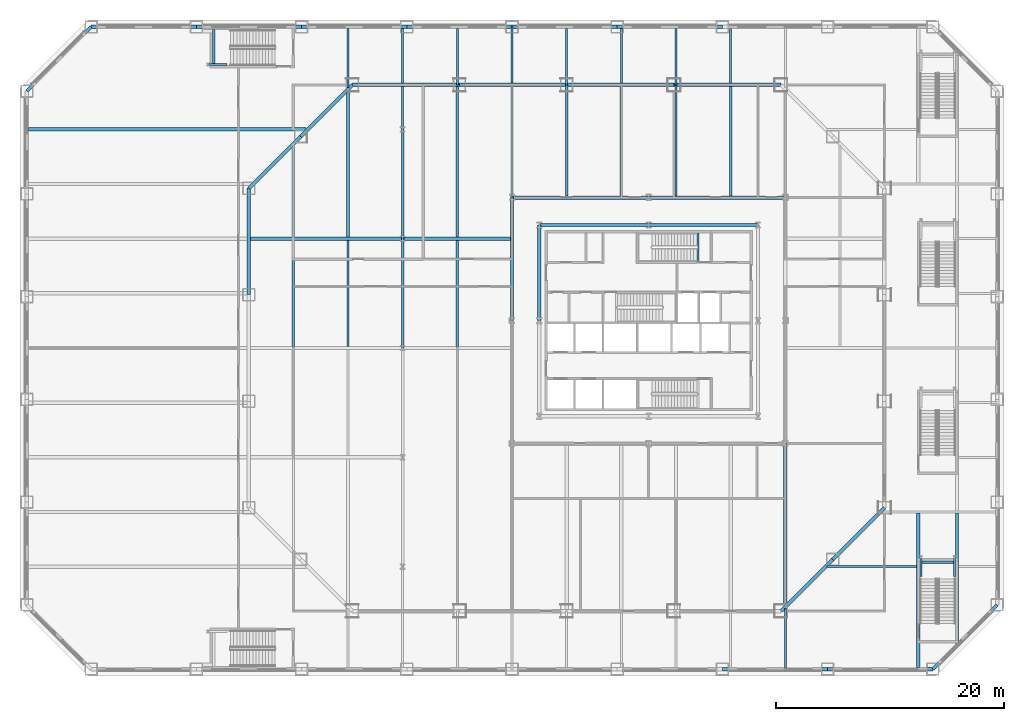
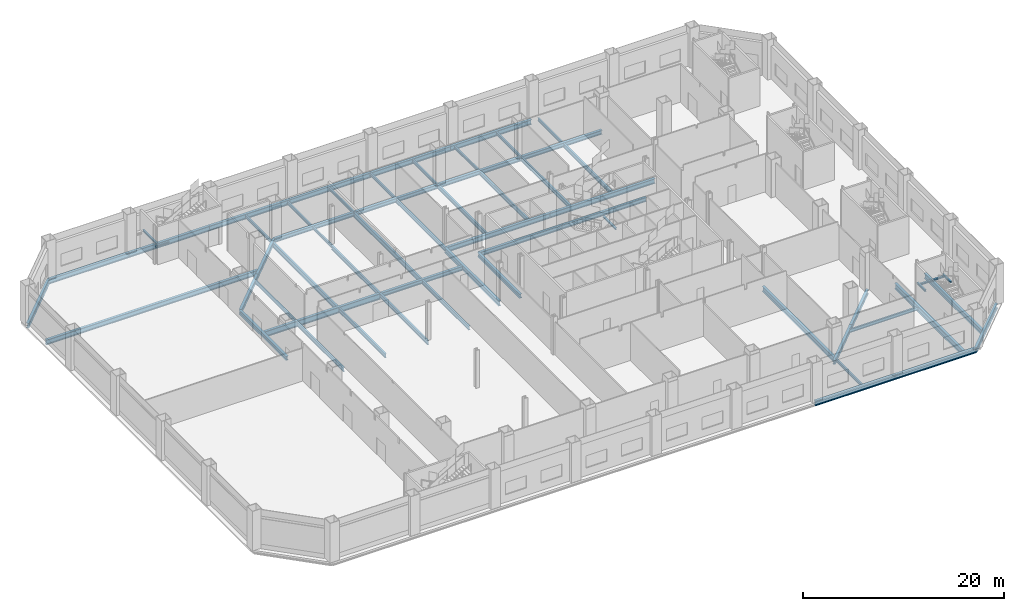
# One storey, part 9 of 26: 61 beams.
"""IFC4 building model written with IfcOpenShell, lengths in metres."""

from ifc_helpers import new_model, si_unit, direction, frame, origin, origin_2d, place, context, subcontext, project, spatial, i_section, extrude, material, material_profile, profile_set, type_object, element, save


model = new_model("IFC4")

# Units and contexts
model_context = context("Model", 3, precision=1e-05, world=origin(), true_north=direction((0.0, 1.0)))
body_context = subcontext(model_context, "Body", "Model", "MODEL_VIEW")
ifc_project = project(units=[si_unit("LENGTHUNIT", "METRE"), si_unit("AREAUNIT", "SQUARE_METRE"), si_unit("VOLUMEUNIT", "CUBIC_METRE"), si_unit("PLANEANGLEUNIT", "RADIAN"), si_unit("MASSUNIT", "GRAM", prefix="KILO")], contexts=[model_context])

# Site, building, storey
site_placement = place(None, origin())
site = spatial("IfcSite", under=ifc_project, at=site_placement, CompositionType="ELEMENT")
building_placement = place(site_placement, origin())
building = spatial("IfcBuilding", under=site, at=building_placement, Name="Cairn Pilgrim Tower", CompositionType="ELEMENT")
storey_placement = place(building_placement, frame((0.0, 0.0, 21.0)))
storey = spatial("IfcBuildingStorey", under=building, at=storey_placement, Name="L03", CompositionType="ELEMENT", Elevation=21.0)

# Beams
ifc_material = material(Name="Structural steel S355J2", Category="steel")
ifc_material_profile_1 = material_profile(ifc_material, i_section(OverallWidth=0.300048828125, OverallDepth=0.60009765625, WebThickness=0.015380859375, FlangeThickness=0.030029296875, FilletRadius=0.027099609375, at=origin_2d()), Name="HEB 600")
ifc_profile_set_1 = profile_set([ifc_material_profile_1], Name="Structural steel S355J2")
beam_type_1 = type_object("IfcBeamType", Name="PODIUM BEAM HE 600 B", PredefinedType="BEAM", material=ifc_profile_set_1)
beam_1_placement = place(storey_placement, frame((19.199951171875, -22.5751953125, -0.5), z_axis=(0.0, 1.0, 0.0), x_axis=(-1.0, 0.0, 0.0)))
element("IfcBeam", 1, at=beam_1_placement, inside=storey, type_object=beam_type_1, Name="PODIUM BEAM PB-HE600B", PredefinedType="BEAM", context=body_context, shape_type="SweptSolid", body=[
    extrude(i_section(OverallWidth=0.300048828125, OverallDepth=0.60009765625, WebThickness=0.015380859375, FlangeThickness=0.030029296875, FilletRadius=0.027099609375, at=origin_2d()), origin(), (0.0, 0.0, 1.0), 14.17529296875),
])
beam_2_placement = place(storey_placement, frame((-47.248046875, 19.199951171875, -0.5), z_axis=(1.0, 0.0, 0.0), x_axis=(0.0, 1.0, 0.0)))
element("IfcBeam", 2, at=beam_2_placement, inside=storey, type_object=beam_type_1, Name="PODIUM BEAM PB-HE600B", PredefinedType="BEAM", context=body_context, shape_type="SweptSolid", body=[
    extrude(i_section(OverallWidth=0.300048828125, OverallDepth=0.60009765625, WebThickness=0.015380859375, FlangeThickness=0.030029296875, FilletRadius=0.027099609375, at=origin_2d()), origin(), (0.0, 0.0, 1.0), 24.368896484375),
])
ifc_material_profile_2 = material_profile(ifc_material, i_section(OverallWidth=0.169921875, OverallDepth=0.360107421875, WebThickness=0.008056640625, FlangeThickness=0.0126953125, FilletRadius=0.01806640625, at=origin_2d()), Name="IPE 360")
ifc_profile_set_2 = profile_set([ifc_material_profile_2], Name="Structural steel S355J2")
beam_type_2 = type_object("IfcBeamType", Name="PODIUM BEAM IPE 360", PredefinedType="BEAM", material=ifc_profile_set_2)
beam_3_placement = place(storey_placement, frame((-14.39990234375, 19.199951171875, -0.3798828125), z_axis=(0.0, 1.0, 0.0), x_axis=(-1.0, 0.0, 0.0)))
element("IfcBeam", 3, at=beam_3_placement, inside=storey, type_object=beam_type_2, Name="PODIUM BEAM PB-IPE360", PredefinedType="BEAM", context=body_context, shape_type="SweptSolid", body=[
    extrude(i_section(OverallWidth=0.169921875, OverallDepth=0.360107421875, WebThickness=0.008056640625, FlangeThickness=0.0126953125, FilletRadius=0.01806640625, at=origin_2d()), origin(), (0.0, 0.0, 1.0), 3.748046875),
])
beam_4_placement = place(storey_placement, frame((-19.199951171875, 22.879150390625, -0.3798828125), z_axis=(0.0, 1.0, 0.0), x_axis=(-1.0, 0.0, 0.0)))
element("IfcBeam", 4, at=beam_4_placement, inside=storey, type_object=beam_type_2, Name="PODIUM BEAM PB-IPE360", PredefinedType="BEAM", context=body_context, shape_type="SweptSolid", body=[
    extrude(i_section(OverallWidth=0.169921875, OverallDepth=0.360107421875, WebThickness=0.008056640625, FlangeThickness=0.0126953125, FilletRadius=0.01806640625, at=origin_2d()), origin(), (0.0, 0.0, 1.0), 5.1689453125),
])
beam_5_placement = place(storey_placement, frame((-14.39990234375, 23.251953125, -0.3798828125), z_axis=(0.0, 1.0, 0.0), x_axis=(-1.0, 0.0, 0.0)))
element("IfcBeam", 5, at=beam_5_placement, inside=storey, type_object=beam_type_2, Name="PODIUM BEAM PB-IPE360", PredefinedType="BEAM", context=body_context, shape_type="SweptSolid", body=[
    extrude(i_section(OverallWidth=0.169921875, OverallDepth=0.360107421875, WebThickness=0.008056640625, FlangeThickness=0.0126953125, FilletRadius=0.01806640625, at=origin_2d()), origin(), (0.0, 0.0, 1.0), 4.796142578125),
])
for number, where, z_axis, x_axis, name in (
    (6, (-9.60009765625, 23.10009765625, -0.3798828125), (0.0, 1.0, 0.0), (-1.0, 0.0, 0.0), "PODIUM BEAM PB-IPE360"),
    (7, (-4.800048828125, 23.251953125, -0.3798828125), (0.0, 1.0, 0.0), (-1.0, 0.0, 0.0), "PODIUM BEAM PB-IPE360"),
    (8, (0.0, 23.10009765625, -0.3798828125), (0.0, 1.0, 0.0), (-1.0, 0.0, 0.0), "PODIUM BEAM PB-IPE360"),
):
    element("IfcBeam", number, at=place(storey_placement, frame(where, z_axis=z_axis, x_axis=x_axis)), inside=storey, type_object=beam_type_2, Name=name, PredefinedType="BEAM", context=body_context, shape_type="SweptSolid", body=[
        extrude(i_section(OverallWidth=0.169921875, OverallDepth=0.360107421875, WebThickness=0.008056640625, FlangeThickness=0.0126953125, FilletRadius=0.01806640625, at=origin_2d()), origin(), (0.0, 0.0, 1.0), 4.947998046875),
    ])
beam_6_placement = place(storey_placement, frame((4.800048828125, 23.251953125, -0.3798828125), z_axis=(0.0, 1.0, 0.0), x_axis=(-1.0, 0.0, 0.0)))
element("IfcBeam", 9, at=beam_6_placement, inside=storey, type_object=beam_type_2, Name="PODIUM BEAM PB-IPE360", PredefinedType="BEAM", context=body_context, shape_type="SweptSolid", body=[
    extrude(i_section(OverallWidth=0.169921875, OverallDepth=0.360107421875, WebThickness=0.008056640625, FlangeThickness=0.0126953125, FilletRadius=0.01806640625, at=origin_2d()), origin(), (0.0, 0.0, 1.0), 4.796142578125),
])
beam_7_placement = place(storey_placement, frame((9.60009765625, 23.10009765625, -0.3798828125), z_axis=(0.0, 1.0, 0.0), x_axis=(-1.0, 0.0, 0.0)))
element("IfcBeam", 10, at=beam_7_placement, inside=storey, type_object=beam_type_2, Name="PODIUM BEAM PB-IPE360", PredefinedType="BEAM", context=body_context, shape_type="SweptSolid", body=[
    extrude(i_section(OverallWidth=0.169921875, OverallDepth=0.360107421875, WebThickness=0.008056640625, FlangeThickness=0.0126953125, FilletRadius=0.01806640625, at=origin_2d()), origin(), (0.0, 0.0, 1.0), 4.947998046875),
])
beam_8_placement = place(storey_placement, frame((14.39990234375, 23.251953125, -0.3798828125), z_axis=(0.0, 1.0, 0.0), x_axis=(-1.0, 0.0, 0.0)))
element("IfcBeam", 11, at=beam_8_placement, inside=storey, type_object=beam_type_2, Name="PODIUM BEAM PB-IPE360", PredefinedType="BEAM", context=body_context, shape_type="SweptSolid", body=[
    extrude(i_section(OverallWidth=0.169921875, OverallDepth=0.360107421875, WebThickness=0.008056640625, FlangeThickness=0.0126953125, FilletRadius=0.01806640625, at=origin_2d()), origin(), (0.0, 0.0, 1.0), 4.796142578125),
])
beam_9_placement = place(storey_placement, frame((19.199951171875, -28.048095703125, -0.3798828125), z_axis=(0.0, 1.0, 0.0), x_axis=(-1.0, 0.0, 0.0)))
element("IfcBeam", 12, at=beam_9_placement, inside=storey, type_object=beam_type_2, Name="PODIUM BEAM PB-IPE360", PredefinedType="BEAM", context=body_context, shape_type="SweptSolid", body=[
    extrude(i_section(OverallWidth=0.169921875, OverallDepth=0.360107421875, WebThickness=0.008056640625, FlangeThickness=0.0126953125, FilletRadius=0.01806640625, at=origin_2d()), origin(), (0.0, 0.0, 1.0), 5.1689453125),
])
ifc_material_profile_3 = material_profile(ifc_material, i_section(OverallWidth=0.179931640625, OverallDepth=0.39990234375, WebThickness=0.008544921875, FlangeThickness=0.013427734375, FilletRadius=0.02099609375, at=origin_2d()), Name="IPE 400")
ifc_profile_set_3 = profile_set([ifc_material_profile_3], Name="Structural steel S355J2")
beam_type_3 = type_object("IfcBeamType", Name="PODIUM BEAM IPE 400", PredefinedType="BEAM", material=ifc_profile_set_3)
beam_10_placement = place(storey_placement, frame((-24.0, 9.751953125, -0.39990234375), z_axis=(0.0, 1.0, 0.0), x_axis=(-1.0, 0.0, 0.0)))
element("IfcBeam", 13, at=beam_10_placement, inside=storey, type_object=beam_type_3, Name="PODIUM BEAM PB-IPE400", PredefinedType="BEAM", context=body_context, shape_type="SweptSolid", body=[
    extrude(i_section(OverallWidth=0.179931640625, OverallDepth=0.39990234375, WebThickness=0.008544921875, FlangeThickness=0.013427734375, FilletRadius=0.02099609375, at=origin_2d()), origin(), (0.0, 0.0, 1.0), 8.023193359375),
])
beam_11_placement = place(storey_placement, frame((22.879150390625, -19.199951171875, -0.39990234375), z_axis=(1.0, 0.0, 0.0), x_axis=(0.0, 1.0, 0.0)))
element("IfcBeam", 14, at=beam_11_placement, inside=storey, type_object=beam_type_3, Name="PODIUM BEAM PB-IPE400", PredefinedType="BEAM", context=body_context, shape_type="SweptSolid", body=[
    extrude(i_section(OverallWidth=0.179931640625, OverallDepth=0.39990234375, WebThickness=0.008544921875, FlangeThickness=0.013427734375, FilletRadius=0.02099609375, at=origin_2d()), origin(), (0.0, 0.0, 1.0), 7.848876953125),
])
ifc_material_profile_4 = material_profile(ifc_material, i_section(OverallWidth=0.199951171875, OverallDepth=0.5, WebThickness=0.01025390625, FlangeThickness=0.01611328125, FilletRadius=0.02099609375, at=origin_2d()), Name="IPE 500")
ifc_profile_set_4 = profile_set([ifc_material_profile_4], Name="Structural steel S355J2")
beam_type_4 = type_object("IfcBeamType", Name="PODIUM BEAM IPE 500", PredefinedType="BEAM", material=ifc_profile_set_4)
for number, where, z_axis, x_axis, name in (
    (15, (-24.0, 0.152099609375, -0.449951171875), (0.0, 1.0, 0.0), (-1.0, 0.0, 0.0), "PODIUM BEAM PB-IPE500"),
    (16, (-19.199951171875, 0.152099609375, -0.449951171875), (0.0, 1.0, 0.0), (-1.0, 0.0, 0.0), "PODIUM BEAM PB-IPE500"),
):
    element("IfcBeam", number, at=place(storey_placement, frame(where, z_axis=z_axis, x_axis=x_axis)), inside=storey, type_object=beam_type_4, Name=name, PredefinedType="BEAM", context=body_context, shape_type="SweptSolid", body=[
        extrude(i_section(OverallWidth=0.199951171875, OverallDepth=0.5, WebThickness=0.01025390625, FlangeThickness=0.01611328125, FilletRadius=0.02099609375, at=origin_2d()), origin(), (0.0, 0.0, 1.0), 9.2958984375),
    ])
beam_12_placement = place(storey_placement, frame((-14.39990234375, 0.0, -0.449951171875), z_axis=(0.0, 1.0, 0.0), x_axis=(-1.0, 0.0, 0.0)))
element("IfcBeam", 17, at=beam_12_placement, inside=storey, type_object=beam_type_4, Name="PODIUM BEAM PB-IPE500", PredefinedType="BEAM", context=body_context, shape_type="SweptSolid", body=[
    extrude(i_section(OverallWidth=0.199951171875, OverallDepth=0.5, WebThickness=0.01025390625, FlangeThickness=0.01611328125, FilletRadius=0.02099609375, at=origin_2d()), origin(), (0.0, 0.0, 1.0), 9.60009765625),
])
beam_13_placement = place(storey_placement, frame((-14.39990234375, 9.60009765625, -0.449951171875), z_axis=(0.0, 1.0, 0.0), x_axis=(-1.0, 0.0, 0.0)))
element("IfcBeam", 18, at=beam_13_placement, inside=storey, type_object=beam_type_4, Name="PODIUM BEAM PB-IPE500", PredefinedType="BEAM", context=body_context, shape_type="SweptSolid", body=[
    extrude(i_section(OverallWidth=0.199951171875, OverallDepth=0.5, WebThickness=0.01025390625, FlangeThickness=0.01611328125, FilletRadius=0.02099609375, at=origin_2d()), origin(), (0.0, 0.0, 1.0), 9.599853515625),
])
beam_14_placement = place(storey_placement, frame((-9.60009765625, 0.152099609375, -0.449951171875), z_axis=(0.0, 1.0, 0.0), x_axis=(-1.0, 0.0, 0.0)))
element("IfcBeam", 19, at=beam_14_placement, inside=storey, type_object=beam_type_4, Name="PODIUM BEAM PB-IPE500", PredefinedType="BEAM", context=body_context, shape_type="SweptSolid", body=[
    extrude(i_section(OverallWidth=0.199951171875, OverallDepth=0.5, WebThickness=0.01025390625, FlangeThickness=0.01611328125, FilletRadius=0.02099609375, at=origin_2d()), origin(), (0.0, 0.0, 1.0), 9.2958984375),
])
for number, where, z_axis, x_axis, name in (
    (20, (-4.800048828125, 13.199951171875, -0.449951171875), (0.0, 1.0, 0.0), (-1.0, 0.0, 0.0), "PODIUM BEAM PB-IPE500"),
    (21, (0.0, 13.35205078125, -0.449951171875), (0.0, 1.0, 0.0), (-1.0, 0.0, 0.0), "PODIUM BEAM PB-IPE500"),
):
    element("IfcBeam", number, at=place(storey_placement, frame(where, z_axis=z_axis, x_axis=x_axis)), inside=storey, type_object=beam_type_4, Name=name, PredefinedType="BEAM", context=body_context, shape_type="SweptSolid", body=[
        extrude(i_section(OverallWidth=0.199951171875, OverallDepth=0.5, WebThickness=0.01025390625, FlangeThickness=0.01611328125, FilletRadius=0.02099609375, at=origin_2d()), origin(), (0.0, 0.0, 1.0), 9.748046875),
    ])
beam_15_placement = place(storey_placement, frame((4.800048828125, 13.35205078125, -0.449951171875), z_axis=(0.0, 1.0, 0.0), x_axis=(-1.0, 0.0, 0.0)))
element("IfcBeam", 22, at=beam_15_placement, inside=storey, type_object=beam_type_4, Name="PODIUM BEAM PB-IPE500", PredefinedType="BEAM", context=body_context, shape_type="SweptSolid", body=[
    extrude(i_section(OverallWidth=0.199951171875, OverallDepth=0.5, WebThickness=0.01025390625, FlangeThickness=0.01611328125, FilletRadius=0.02099609375, at=origin_2d()), origin(), (0.0, 0.0, 1.0), 9.595947265625),
])
beam_16_placement = place(storey_placement, frame((9.60009765625, 13.35205078125, -0.449951171875), z_axis=(0.0, 1.0, 0.0), x_axis=(-1.0, 0.0, 0.0)))
element("IfcBeam", 23, at=beam_16_placement, inside=storey, type_object=beam_type_4, Name="PODIUM BEAM PB-IPE500", PredefinedType="BEAM", context=body_context, shape_type="SweptSolid", body=[
    extrude(i_section(OverallWidth=0.199951171875, OverallDepth=0.5, WebThickness=0.01025390625, FlangeThickness=0.01611328125, FilletRadius=0.02099609375, at=origin_2d()), origin(), (0.0, 0.0, 1.0), 9.748046875),
])
beam_17_placement = place(storey_placement, frame((14.39990234375, 13.35205078125, -0.449951171875), z_axis=(0.0, 1.0, 0.0), x_axis=(-1.0, 0.0, 0.0)))
element("IfcBeam", 24, at=beam_17_placement, inside=storey, type_object=beam_type_4, Name="PODIUM BEAM PB-IPE500", PredefinedType="BEAM", context=body_context, shape_type="SweptSolid", body=[
    extrude(i_section(OverallWidth=0.199951171875, OverallDepth=0.5, WebThickness=0.01025390625, FlangeThickness=0.01611328125, FilletRadius=0.02099609375, at=origin_2d()), origin(), (0.0, 0.0, 1.0), 9.595947265625),
])
ifc_material_profile_5 = material_profile(ifc_material, i_section(OverallWidth=0.219970703125, OverallDepth=0.60009765625, WebThickness=0.011962890625, FlangeThickness=0.01904296875, FilletRadius=0.02392578125, at=origin_2d()), Name="IPE 600")
ifc_profile_set_5 = profile_set([ifc_material_profile_5], Name="Structural steel S355J2")
beam_type_5 = type_object("IfcBeamType", Name="PODIUM BEAM IPE 600", PredefinedType="BEAM", material=ifc_profile_set_5)
beam_18_placement = place(storey_placement, frame((-19.199951171875, 9.751953125, -0.5), z_axis=(0.0, 1.0, 0.0), x_axis=(-1.0, 0.0, 0.0)))
element("IfcBeam", 25, at=beam_18_placement, inside=storey, type_object=beam_type_5, Name="PODIUM BEAM PB-IPE600", PredefinedType="BEAM", context=body_context, shape_type="SweptSolid", body=[
    extrude(i_section(OverallWidth=0.219970703125, OverallDepth=0.60009765625, WebThickness=0.011962890625, FlangeThickness=0.01904296875, FilletRadius=0.02392578125, at=origin_2d()), origin(), (0.0, 0.0, 1.0), 12.8232421875),
])
beam_19_placement = place(storey_placement, frame((-9.60009765625, 9.751953125, -0.5), z_axis=(0.0, 1.0, 0.0), x_axis=(-1.0, 0.0, 0.0)))
element("IfcBeam", 26, at=beam_19_placement, inside=storey, type_object=beam_type_5, Name="PODIUM BEAM PB-IPE600", PredefinedType="BEAM", context=body_context, shape_type="SweptSolid", body=[
    extrude(i_section(OverallWidth=0.219970703125, OverallDepth=0.60009765625, WebThickness=0.011962890625, FlangeThickness=0.01904296875, FilletRadius=0.02392578125, at=origin_2d()), origin(), (0.0, 0.0, 1.0), 13.34814453125),
])
ifc_material_profile_6 = material_profile(ifc_material, i_section(OverallWidth=0.300048828125, OverallDepth=0.60009765625, WebThickness=0.015380859375, FlangeThickness=0.030029296875, FilletRadius=0.027099609375, at=origin_2d()), Name="HEB 600")
ifc_profile_set_6 = profile_set([ifc_material_profile_6], Name="Structural steel S355J2")
beam_type_6 = type_object("IfcBeamType", Name="PODIUM EDGE GIRDER HE 600 B", PredefinedType="BEAM", material=ifc_profile_set_6)
beam_20_placement = place(storey_placement, frame((13.67578125, -28.199951171875, -0.5), z_axis=(1.0, 0.0, 0.0), x_axis=(0.0, 1.0, 0.0)))
element("IfcBeam", 27, at=beam_20_placement, inside=storey, type_object=beam_type_6, Name="PODIUM EDGE GIRDER PE-HE600B", PredefinedType="BEAM", context=body_context, shape_type="SweptSolid", body=[
    extrude(i_section(OverallWidth=0.300048828125, OverallDepth=0.60009765625, WebThickness=0.015380859375, FlangeThickness=0.030029296875, FilletRadius=0.027099609375, at=origin_2d()), origin(), (0.0, 0.0, 1.0), 9.23779296875),
])
beam_21_placement = place(storey_placement, frame((22.91357421875, -28.199951171875, -0.5), z_axis=(1.0, 0.0, 0.0), x_axis=(0.0, 1.0, 0.0)))
element("IfcBeam", 28, at=beam_21_placement, inside=storey, type_object=beam_type_6, Name="PODIUM EDGE GIRDER PE-HE600B", PredefinedType="BEAM", context=body_context, shape_type="SweptSolid", body=[
    extrude(i_section(OverallWidth=0.300048828125, OverallDepth=0.60009765625, WebThickness=0.015380859375, FlangeThickness=0.030029296875, FilletRadius=0.027099609375, at=origin_2d()), origin(), (0.0, 0.0, 1.0), 9.238037109375),
])
beam_22_placement = place(storey_placement, frame((32.151611328125, -28.199951171875, -0.5), z_axis=(0.707106781187, 0.707106781187, 0.0), x_axis=(-0.707106781187, 0.707106781187, 0.0)))
element("IfcBeam", 29, at=beam_22_placement, inside=storey, type_object=beam_type_6, Name="PODIUM EDGE GIRDER PE-HE600B", PredefinedType="BEAM", context=body_context, shape_type="SweptSolid", body=[
    extrude(i_section(OverallWidth=0.300048828125, OverallDepth=0.60009765625, WebThickness=0.015380859375, FlangeThickness=0.030029296875, FilletRadius=0.027099609375, at=origin_2d()), origin(), (0.0, 0.0, 1.0), 7.988037109375),
])
beam_23_placement = place(storey_placement, frame((13.67578125, 28.199951171875, -0.5), z_axis=(-1.0, 0.0, 0.0), x_axis=(0.0, -1.0, 0.0)))
element("IfcBeam", 30, at=beam_23_placement, inside=storey, type_object=beam_type_6, Name="PODIUM EDGE GIRDER PE-HE600B", PredefinedType="BEAM", context=body_context, shape_type="SweptSolid", body=[
    extrude(i_section(OverallWidth=0.300048828125, OverallDepth=0.60009765625, WebThickness=0.015380859375, FlangeThickness=0.030029296875, FilletRadius=0.027099609375, at=origin_2d()), origin(), (0.0, 0.0, 1.0), 9.23779296875),
])
beam_24_placement = place(storey_placement, frame((4.43798828125, 28.199951171875, -0.5), z_axis=(-1.0, 0.0, 0.0), x_axis=(0.0, -1.0, 0.0)))
element("IfcBeam", 31, at=beam_24_placement, inside=storey, type_object=beam_type_6, Name="PODIUM EDGE GIRDER PE-HE600B", PredefinedType="BEAM", context=body_context, shape_type="SweptSolid", body=[
    extrude(i_section(OverallWidth=0.300048828125, OverallDepth=0.60009765625, WebThickness=0.015380859375, FlangeThickness=0.030029296875, FilletRadius=0.027099609375, at=origin_2d()), origin(), (0.0, 0.0, 1.0), 9.238037109375),
])
for number, where, z_axis, x_axis, name in (
    (32, (-4.800048828125, 28.199951171875, -0.5), (-1.0, 0.0, 0.0), (0.0, -1.0, 0.0), "PODIUM EDGE GIRDER PE-HE600B"),
    (33, (-14.037841796875, 28.199951171875, -0.5), (-1.0, 0.0, 0.0), (0.0, -1.0, 0.0), "PODIUM EDGE GIRDER PE-HE600B"),
):
    element("IfcBeam", number, at=place(storey_placement, frame(where, z_axis=z_axis, x_axis=x_axis)), inside=storey, type_object=beam_type_6, Name=name, PredefinedType="BEAM", context=body_context, shape_type="SweptSolid", body=[
        extrude(i_section(OverallWidth=0.300048828125, OverallDepth=0.60009765625, WebThickness=0.015380859375, FlangeThickness=0.030029296875, FilletRadius=0.027099609375, at=origin_2d()), origin(), (0.0, 0.0, 1.0), 9.23779296875),
    ])
beam_25_placement = place(storey_placement, frame((-23.275634765625, 28.199951171875, -0.5), z_axis=(-1.0, 0.0, 0.0), x_axis=(0.0, -1.0, 0.0)))
element("IfcBeam", 34, at=beam_25_placement, inside=storey, type_object=beam_type_6, Name="PODIUM EDGE GIRDER PE-HE600B", PredefinedType="BEAM", context=body_context, shape_type="SweptSolid", body=[
    extrude(i_section(OverallWidth=0.300048828125, OverallDepth=0.60009765625, WebThickness=0.015380859375, FlangeThickness=0.030029296875, FilletRadius=0.027099609375, at=origin_2d()), origin(), (0.0, 0.0, 1.0), 9.238037109375),
])
beam_26_placement = place(storey_placement, frame((-32.513671875, 28.199951171875, -0.5), z_axis=(-1.0, 0.0, 0.0), x_axis=(0.0, -1.0, 0.0)))
element("IfcBeam", 35, at=beam_26_placement, inside=storey, type_object=beam_type_6, Name="PODIUM EDGE GIRDER PE-HE600B", PredefinedType="BEAM", context=body_context, shape_type="SweptSolid", body=[
    extrude(i_section(OverallWidth=0.300048828125, OverallDepth=0.60009765625, WebThickness=0.015380859375, FlangeThickness=0.030029296875, FilletRadius=0.027099609375, at=origin_2d()), origin(), (0.0, 0.0, 1.0), 9.23779296875),
])
beam_27_placement = place(storey_placement, frame((-41.75146484375, 28.199951171875, -0.5), z_axis=(-0.707106781187, -0.707106781187, 0.0), x_axis=(0.707106781187, -0.707106781187, 0.0)))
element("IfcBeam", 36, at=beam_27_placement, inside=storey, type_object=beam_type_6, Name="PODIUM EDGE GIRDER PE-HE600B", PredefinedType="BEAM", context=body_context, shape_type="SweptSolid", body=[
    extrude(i_section(OverallWidth=0.300048828125, OverallDepth=0.60009765625, WebThickness=0.015380859375, FlangeThickness=0.030029296875, FilletRadius=0.027099609375, at=origin_2d()), origin(), (0.0, 0.0, 1.0), 7.988037109375),
])
ifc_material_profile_7 = material_profile(ifc_material, i_section(OverallWidth=0.300048828125, OverallDepth=0.5, WebThickness=0.014404296875, FlangeThickness=0.028076171875, FilletRadius=0.027099609375, at=origin_2d()), Name="HEB 500")
ifc_profile_set_7 = profile_set([ifc_material_profile_7], Name="Structural steel S355J2")
beam_type_7 = type_object("IfcBeamType", Name="PODIUM GIRDER HE 500 B", PredefinedType="BEAM", material=ifc_profile_set_7)
for number, where, z_axis, x_axis, name in (
    (37, (18.8271484375, -23.10009765625, -0.449951171875), (0.707106781187, 0.707106781187, 0.0), (-0.707106781187, 0.707106781187, 0.0), "PODIUM GIRDER PG-HE500B"),
    (38, (23.363525390625, -18.563720703125, -0.449951171875), (0.707087753759, 0.707125808102, 0.0), (-0.707125808102, 0.707087753759, 0.0), "PODIUM GIRDER PG-HE500B"),
):
    element("IfcBeam", number, at=place(storey_placement, frame(where, z_axis=z_axis, x_axis=x_axis)), inside=storey, type_object=beam_type_7, Name=name, PredefinedType="BEAM", context=body_context, shape_type="SweptSolid", body=[
        extrude(i_section(OverallWidth=0.300048828125, OverallDepth=0.5, WebThickness=0.014404296875, FlangeThickness=0.028076171875, FilletRadius=0.027099609375, at=origin_2d()), origin(), (0.0, 0.0, 1.0), 6.41552734375),
    ])
for number, where, z_axis, x_axis, name in (
    (39, (18.8271484375, 23.10009765625, -0.449951171875), (-1.0, 0.0, 0.0), (0.0, -1.0, 0.0), "PODIUM GIRDER PG-HE500B"),
    (40, (9.41357421875, 23.10009765625, -0.449951171875), (-1.0, 0.0, 0.0), (0.0, -1.0, 0.0), "PODIUM GIRDER PG-HE500B"),
    (41, (0.0, 23.10009765625, -0.449951171875), (-1.0, 0.0, 0.0), (0.0, -1.0, 0.0), "PODIUM GIRDER PG-HE500B"),
    (42, (-9.41357421875, 23.10009765625, -0.449951171875), (-1.0, 0.0, 0.0), (0.0, -1.0, 0.0), "PODIUM GIRDER PG-HE500B"),
):
    element("IfcBeam", number, at=place(storey_placement, frame(where, z_axis=z_axis, x_axis=x_axis)), inside=storey, type_object=beam_type_7, Name=name, PredefinedType="BEAM", context=body_context, shape_type="SweptSolid", body=[
        extrude(i_section(OverallWidth=0.300048828125, OverallDepth=0.5, WebThickness=0.014404296875, FlangeThickness=0.028076171875, FilletRadius=0.027099609375, at=origin_2d()), origin(), (0.0, 0.0, 1.0), 9.41357421875),
    ])
for number, where, z_axis, x_axis, name in (
    (43, (-18.8271484375, 23.10009765625, -0.449951171875), (-0.707106781187, -0.707106781187, 0.0), (0.707106781187, -0.707106781187, 0.0), "PODIUM GIRDER PG-HE500B"),
    (44, (-23.363525390625, 18.563720703125, -0.449951171875), (-0.707087753759, -0.707125808102, 0.0), (0.707125808102, -0.707087753759, 0.0), "PODIUM GIRDER PG-HE500B"),
):
    element("IfcBeam", number, at=place(storey_placement, frame(where, z_axis=z_axis, x_axis=x_axis)), inside=storey, type_object=beam_type_7, Name=name, PredefinedType="BEAM", context=body_context, shape_type="SweptSolid", body=[
        extrude(i_section(OverallWidth=0.300048828125, OverallDepth=0.5, WebThickness=0.014404296875, FlangeThickness=0.028076171875, FilletRadius=0.027099609375, at=origin_2d()), origin(), (0.0, 0.0, 1.0), 6.41552734375),
    ])
beam_28_placement = place(storey_placement, frame((-27.89990234375, 14.027099609375, -0.449951171875), z_axis=(0.0, -1.0, 0.0), x_axis=(1.0, 0.0, 0.0)))
element("IfcBeam", 45, at=beam_28_placement, inside=storey, type_object=beam_type_7, Name="PODIUM GIRDER PG-HE500B", PredefinedType="BEAM", context=body_context, shape_type="SweptSolid", body=[
    extrude(i_section(OverallWidth=0.300048828125, OverallDepth=0.5, WebThickness=0.014404296875, FlangeThickness=0.028076171875, FilletRadius=0.027099609375, at=origin_2d()), origin(), (0.0, 0.0, 1.0), 9.351318359375),
])
beam_29_placement = place(storey_placement, frame((16.800048828125, 10.800048828125, -0.449951171875), z_axis=(-1.0, 0.0, 0.0), x_axis=(0.0, -1.0, 0.0)))
element("IfcBeam", 46, at=beam_29_placement, inside=storey, type_object=beam_type_7, Name="PODIUM GIRDER PG-HE500B", PredefinedType="BEAM", context=body_context, shape_type="SweptSolid", body=[
    extrude(i_section(OverallWidth=0.300048828125, OverallDepth=0.5, WebThickness=0.014404296875, FlangeThickness=0.028076171875, FilletRadius=0.027099609375, at=origin_2d()), origin(), (0.0, 0.0, 1.0), 9.60009765625),
])
beam_30_placement = place(storey_placement, frame((7.199951171875, 10.800048828125, -0.449951171875), z_axis=(-1.0, 0.0, 0.0), x_axis=(0.0, -1.0, 0.0)))
element("IfcBeam", 47, at=beam_30_placement, inside=storey, type_object=beam_type_7, Name="PODIUM GIRDER PG-HE500B", PredefinedType="BEAM", context=body_context, shape_type="SweptSolid", body=[
    extrude(i_section(OverallWidth=0.300048828125, OverallDepth=0.5, WebThickness=0.014404296875, FlangeThickness=0.028076171875, FilletRadius=0.027099609375, at=origin_2d()), origin(), (0.0, 0.0, 1.0), 9.599853515625),
])
beam_31_placement = place(storey_placement, frame((-2.39990234375, 10.800048828125, -0.449951171875), z_axis=(0.0, -1.0, 0.0), x_axis=(1.0, 0.0, 0.0)))
element("IfcBeam", 48, at=beam_31_placement, inside=storey, type_object=beam_type_7, Name="PODIUM GIRDER PG-HE500B", PredefinedType="BEAM", context=body_context, shape_type="SweptSolid", body=[
    extrude(i_section(OverallWidth=0.300048828125, OverallDepth=0.5, WebThickness=0.014404296875, FlangeThickness=0.028076171875, FilletRadius=0.027099609375, at=origin_2d()), origin(), (0.0, 0.0, 1.0), 8.400146484375),
])
beam_32_placement = place(storey_placement, frame((-14.39990234375, 9.60009765625, -0.449951171875), z_axis=(1.0, 0.0, 0.0), x_axis=(0.0, 1.0, 0.0)))
element("IfcBeam", 49, at=beam_32_placement, inside=storey, type_object=beam_type_7, Name="PODIUM GIRDER PG-HE500B", PredefinedType="BEAM", context=body_context, shape_type="SweptSolid", body=[
    extrude(i_section(OverallWidth=0.300048828125, OverallDepth=0.5, WebThickness=0.014404296875, FlangeThickness=0.028076171875, FilletRadius=0.027099609375, at=origin_2d()), origin(), (0.0, 0.0, 1.0), 9.447998046875),
])
ifc_material_profile_8 = material_profile(ifc_material, i_section(OverallWidth=0.300048828125, OverallDepth=0.60009765625, WebThickness=0.015380859375, FlangeThickness=0.030029296875, FilletRadius=0.027099609375, at=origin_2d()), Name="HEB 600")
ifc_profile_set_8 = profile_set([ifc_material_profile_8], Name="Structural steel S355J2")
beam_type_8 = type_object("IfcBeamType", Name="PODIUM GIRDER HE 600 B", PredefinedType="BEAM", material=ifc_profile_set_8)
for number, where, z_axis, x_axis, name in (
    (50, (19.199951171875, 13.199951171875, -0.5), (-1.0, 0.0, 0.0), (0.0, -1.0, 0.0), "PODIUM GIRDER PG-HE600B"),
    (51, (7.199951171875, 13.199951171875, -0.5), (-1.0, 0.0, 0.0), (0.0, -1.0, 0.0), "PODIUM GIRDER PG-HE600B"),
):
    element("IfcBeam", number, at=place(storey_placement, frame(where, z_axis=z_axis, x_axis=x_axis)), inside=storey, type_object=beam_type_8, Name=name, PredefinedType="BEAM", context=body_context, shape_type="SweptSolid", body=[
        extrude(i_section(OverallWidth=0.300048828125, OverallDepth=0.60009765625, WebThickness=0.015380859375, FlangeThickness=0.030029296875, FilletRadius=0.027099609375, at=origin_2d()), origin(), (0.0, 0.0, 1.0), 12.0),
    ])
beam_33_placement = place(storey_placement, frame((-4.800048828125, 13.199951171875, -0.5), z_axis=(0.0, -1.0, 0.0), x_axis=(1.0, 0.0, 0.0)))
element("IfcBeam", 52, at=beam_33_placement, inside=storey, type_object=beam_type_8, Name="PODIUM GIRDER PG-HE600B", PredefinedType="BEAM", context=body_context, shape_type="SweptSolid", body=[
    extrude(i_section(OverallWidth=0.300048828125, OverallDepth=0.60009765625, WebThickness=0.015380859375, FlangeThickness=0.030029296875, FilletRadius=0.027099609375, at=origin_2d()), origin(), (0.0, 0.0, 1.0), 10.800048828125),
])
beam_34_placement = place(storey_placement, frame((34.27001953125, -25.929443359375, -0.5), z_axis=(0.0, 1.0, 0.0), x_axis=(-1.0, 0.0, 0.0)))
element("IfcBeam", 53, at=beam_34_placement, inside=storey, type_object=beam_type_8, Name="PODIUM GIRDER PG-HE600B", PredefinedType="BEAM", context=body_context, shape_type="SweptSolid", body=[
    extrude(i_section(OverallWidth=0.300048828125, OverallDepth=0.60009765625, WebThickness=0.015380859375, FlangeThickness=0.030029296875, FilletRadius=0.027099609375, at=origin_2d()), origin(), (0.0, 0.0, 1.0), 11.427490234375),
])
ifc_material_profile_9 = material_profile(ifc_material, i_section(OverallWidth=0.300048828125, OverallDepth=0.699951171875, WebThickness=0.01708984375, FlangeThickness=0.031982421875, FilletRadius=0.027099609375, at=origin_2d()), Name="HEB 700")
ifc_profile_set_9 = profile_set([ifc_material_profile_9], Name="Structural steel S355J2")
beam_type_9 = type_object("IfcBeamType", Name="PODIUM GIRDER HE 700 B", PredefinedType="BEAM", material=ifc_profile_set_9)
beam_35_placement = place(storey_placement, frame((-27.748046875, 9.60009765625, -0.550048828125), z_axis=(1.0, 0.0, 0.0), x_axis=(0.0, 1.0, 0.0)))
element("IfcBeam", 54, at=beam_35_placement, inside=storey, type_object=beam_type_9, Name="PODIUM GIRDER PG-HE700B", PredefinedType="BEAM", context=body_context, shape_type="SweptSolid", body=[
    extrude(i_section(OverallWidth=0.300048828125, OverallDepth=0.699951171875, WebThickness=0.01708984375, FlangeThickness=0.031982421875, FilletRadius=0.027099609375, at=origin_2d()), origin(), (0.0, 0.0, 1.0), 13.34814453125),
])
beam_36_placement = place(storey_placement, frame((30.8798828125, -28.048095703125, -0.550048828125), z_axis=(0.0, 1.0, 0.0), x_axis=(-1.0, 0.0, 0.0)))
element("IfcBeam", 55, at=beam_36_placement, inside=storey, type_object=beam_type_9, Name="PODIUM GIRDER PG-HE700B", PredefinedType="BEAM", context=body_context, shape_type="SweptSolid", body=[
    extrude(i_section(OverallWidth=0.300048828125, OverallDepth=0.699951171875, WebThickness=0.01708984375, FlangeThickness=0.031982421875, FilletRadius=0.027099609375, at=origin_2d()), origin(), (0.0, 0.0, 1.0), 13.546142578125),
])
ifc_material_profile_10 = material_profile(ifc_material, i_section(OverallWidth=0.199951171875, OverallDepth=0.199951171875, WebThickness=0.009033203125, FlangeThickness=0.014892578125, FilletRadius=0.01806640625, at=origin_2d()), Name="HE 200 B")
ifc_profile_set_10 = profile_set([ifc_material_profile_10], Name="Structural steel S355J2")
beam_type_10 = type_object("IfcBeamType", Name="STAIR LANDING BEAM HE 200 B", PredefinedType="BEAM", material=ifc_profile_set_10)
beam_37_placement = place(storey_placement, frame((-31.39990234375, 24.89990234375, 2.10009765625), z_axis=(1.0, 0.0, 0.0), x_axis=(0.0, 1.0, 0.0)))
element("IfcBeam", 56, at=beam_37_placement, inside=storey, type_object=beam_type_10, Name="STAIR LANDING BEAM LD-HE200B", PredefinedType="BEAM", context=body_context, shape_type="SweptSolid", body=[
    extrude(i_section(OverallWidth=0.199951171875, OverallDepth=0.199951171875, WebThickness=0.009033203125, FlangeThickness=0.014892578125, FilletRadius=0.01806640625, at=origin_2d()), origin(), (0.0, 0.0, 1.0), 1.579833984375),
])
beam_38_placement = place(storey_placement, frame((-30.9951171875, 25.0, 2.10009765625), z_axis=(0.0, 1.0, 0.0), x_axis=(-1.0, 0.0, 0.0)))
element("IfcBeam", 57, at=beam_38_placement, inside=storey, type_object=beam_type_10, Name="STAIR LANDING BEAM LD-HE200B", PredefinedType="BEAM", context=body_context, shape_type="SweptSolid", body=[
    extrude(i_section(OverallWidth=0.199951171875, OverallDepth=0.199951171875, WebThickness=0.009033203125, FlangeThickness=0.014892578125, FilletRadius=0.01806640625, at=origin_2d()), origin(), (0.0, 0.0, 1.0), 2.949951171875),
])
for number, where, z_axis, x_axis, name in (
    (58, (31.10498046875, -18.4599609375, 2.10009765625), (0.0, -1.0, 0.0), (1.0, 0.0, 0.0), "STAIR LANDING BEAM LD-HE200B"),
    (59, (34.044921875, -18.4599609375, 2.10009765625), (0.0, -1.0, 0.0), (1.0, 0.0, 0.0), "STAIR LANDING BEAM LD-HE200B"),
):
    element("IfcBeam", number, at=place(storey_placement, frame(where, z_axis=z_axis, x_axis=x_axis)), inside=storey, type_object=beam_type_10, Name=name, PredefinedType="BEAM", context=body_context, shape_type="SweptSolid", body=[
        extrude(i_section(OverallWidth=0.199951171875, OverallDepth=0.199951171875, WebThickness=0.009033203125, FlangeThickness=0.014892578125, FilletRadius=0.01806640625, at=origin_2d()), origin(), (0.0, 0.0, 1.0), 1.625),
    ])
beam_39_placement = place(storey_placement, frame((31.205078125, -18.804931640625, 2.10009765625), z_axis=(1.0, 0.0, 0.0), x_axis=(0.0, 1.0, 0.0)))
element("IfcBeam", 60, at=beam_39_placement, inside=storey, type_object=beam_type_10, Name="STAIR LANDING BEAM LD-HE200B", PredefinedType="BEAM", context=body_context, shape_type="SweptSolid", body=[
    extrude(i_section(OverallWidth=0.199951171875, OverallDepth=0.199951171875, WebThickness=0.009033203125, FlangeThickness=0.014892578125, FilletRadius=0.01806640625, at=origin_2d()), origin(), (0.0, 0.0, 1.0), 2.739990234375),
])
beam_40_placement = place(storey_placement, frame((11.5244140625, 10.10009765625, -0.300048828125), z_axis=(0.0, -1.0, 0.0), x_axis=(1.0, 0.0, 0.0)))
element("IfcBeam", 61, at=beam_40_placement, inside=storey, type_object=beam_type_10, Name="STAIR LANDING BEAM LD-HE200B", PredefinedType="BEAM", context=body_context, shape_type="SweptSolid", body=[
    extrude(i_section(OverallWidth=0.199951171875, OverallDepth=0.199951171875, WebThickness=0.009033203125, FlangeThickness=0.014892578125, FilletRadius=0.01806640625, at=origin_2d()), origin(), (0.0, 0.0, 1.0), 2.525146484375),
])

save(model, "model.ifc")
